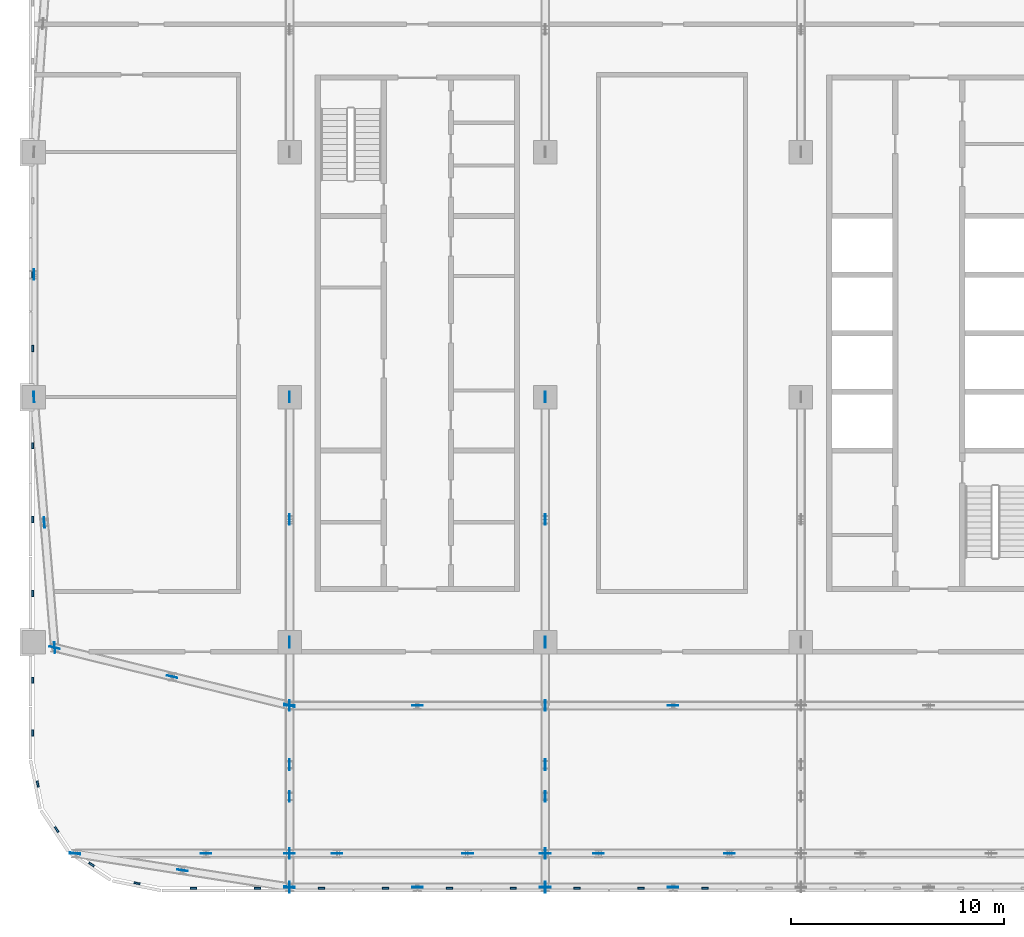
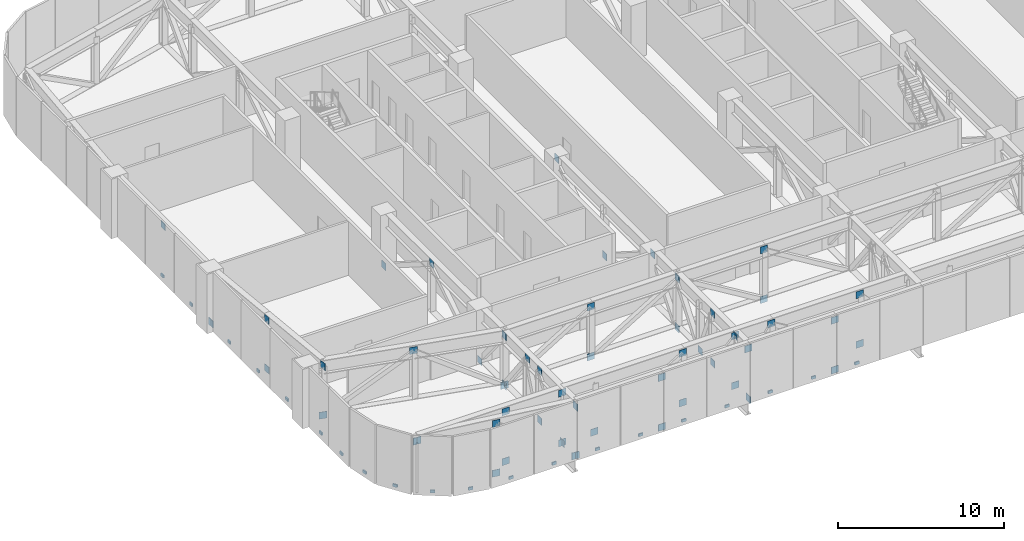
# One storey, part 17 of 28: 77 discrete accessories.
"""IFC4 building model written with IfcOpenShell, lengths in metres."""

from ifc_helpers import new_model, si_unit, direction, frame, origin, origin_2d, place, context, subcontext, project, spatial, rectangle, extrude, material, layer, layer_set, type_object, element, save


model = new_model("IFC4")

# Units and contexts
model_context = context("Model", 3, precision=1e-05, world=origin(), true_north=direction((0.0, 1.0)))
body_context = subcontext(model_context, "Body", "Model", "MODEL_VIEW")
ifc_project = project(units=[si_unit("LENGTHUNIT", "METRE"), si_unit("AREAUNIT", "SQUARE_METRE"), si_unit("VOLUMEUNIT", "CUBIC_METRE"), si_unit("PLANEANGLEUNIT", "RADIAN"), si_unit("MASSUNIT", "GRAM", prefix="KILO")], contexts=[model_context])

# Site, building, storey
site_placement = place(None, origin())
site = spatial("IfcSite", under=ifc_project, at=site_placement, CompositionType="ELEMENT")
building_placement = place(site_placement, origin())
building = spatial("IfcBuilding", under=site, at=building_placement, Name="Mahtab Terrace Research Tower", CompositionType="ELEMENT")
storey_placement = place(building_placement, frame((0.0, 0.0, 224.300048828125)))
storey = spatial("IfcBuildingStorey", under=building, at=storey_placement, Name="L54", CompositionType="ELEMENT", Elevation=224.300048828125)

# Discrete accessories
ifc_material_1 = material(Name="Black anodised aluminium", Category="aluminium")
discrete_accessory_type_1 = type_object("IfcDiscreteAccessoryType", Name="Facade bracket", PredefinedType="BRACKET", material=ifc_material_1)
for number, where, z_axis, x_axis, name in (
    (1, (-42.044921875, 5.75, -0.2998046875), (0.0, 0.0, 1.0), (0.0, -1.0, 0.0), "Louvre bracket L54 44"),
    (2, (-42.044921875, 2.283447265625, -0.2998046875), (0.0, 0.0, 1.0), (0.0, -1.0, 0.0), "Louvre bracket L54 45"),
    (3, (-42.044921875, -2.283447265625, -0.2998046875), (0.0, 0.0, 1.0), (0.0, -1.0, 0.0), "Louvre bracket L54 46"),
    (4, (-42.044921875, -5.75, -0.2998046875), (0.0, 0.0, 1.0), (0.0, -1.0, 0.0), "Louvre bracket L54 47"),
    (5, (-42.044921875, -9.216552734375, -0.2998046875), (0.0, 0.0, 1.0), (0.0, -1.0, 0.0), "Louvre bracket L54 48"),
    (6, (-42.044921875, -13.28759765625, -0.2998046875), (0.0, 0.0, 1.0), (0.0, -1.0, 0.0), "Louvre bracket L54 49"),
    (7, (-42.044921875, -15.762451171875, -0.2998046875), (0.0, 0.0, 1.0), (0.0, -1.0, 0.0), "Louvre bracket L54 50"),
    (8, (-41.815673828125, -18.15673828125, -0.2998046875), (0.0, 0.0, 1.0), (0.195212442692, -0.980760981187, 0.0), "Louvre bracket L54 51"),
    (9, (-40.930419921875, -20.29443359375, -0.2998046875), (0.0, 0.0, 1.0), (0.555291490808, -0.831655794326, 0.0), "Louvre bracket L54 52"),
    (10, (-39.29443359375, -21.930419921875, -0.2998046875), (0.0, 0.0, 1.0), (0.831655794326, -0.555291490808, 0.0), "Louvre bracket L54 53"),
    (11, (-37.15673828125, -22.815673828125, -0.2998046875), (0.0, 0.0, 1.0), (0.980760981187, -0.195212442692, 0.0), "Louvre bracket L54 54"),
    (12, (-34.5, -23.044921875, -0.2998046875), (0.0, 0.0, 1.0), (1.0, 0.0, 0.0), "Louvre bracket L54 55"),
    (13, (-31.5, -23.044921875, -0.2998046875), (0.0, 0.0, 1.0), (1.0, 0.0, 0.0), "Louvre bracket L54 56"),
    (14, (-28.5, -23.044921875, -0.2998046875), (0.0, 0.0, 1.0), (1.0, 0.0, 0.0), "Louvre bracket L54 57"),
    (15, (-25.5, -23.044921875, -0.2998046875), (0.0, 0.0, 1.0), (1.0, 0.0, 0.0), "Louvre bracket L54 58"),
    (16, (-22.5, -23.044921875, -0.2998046875), (0.0, 0.0, 1.0), (1.0, 0.0, 0.0), "Louvre bracket L54 59"),
    (17, (-19.5, -23.044921875, -0.2998046875), (0.0, 0.0, 1.0), (1.0, 0.0, 0.0), "Louvre bracket L54 60"),
    (18, (-16.5, -23.044921875, -0.2998046875), (0.0, 0.0, 1.0), (1.0, 0.0, 0.0), "Louvre bracket L54 61"),
    (19, (-13.5, -23.044921875, -0.2998046875), (0.0, 0.0, 1.0), (1.0, 0.0, 0.0), "Louvre bracket L54 62"),
    (20, (-10.5, -23.044921875, -0.2998046875), (0.0, 0.0, 1.0), (1.0, 0.0, 0.0), "Louvre bracket L54 63"),
):
    element("IfcDiscreteAccessory", number, at=place(storey_placement, frame(where, z_axis=z_axis, x_axis=x_axis)), inside=storey, type_object=discrete_accessory_type_1, Name=name, PredefinedType="BRACKET", context=body_context, shape_type="SweptSolid", body=[
        extrude(rectangle(XDim=0.300048828125, YDim=0.090087890625, at=origin_2d()), origin(), (0.0, 0.0, 1.0), 0.199951171875),
    ])
ifc_material_2 = material(Name="Steel ASTM A992 Gr 50", Category="steel")
ifc_layer = layer(ifc_material_2, 0.030029296875)
ifc_layer_set = layer_set([ifc_layer], Name="Gusset plate 500x500x30")
discrete_accessory_type_2 = type_object("IfcDiscreteAccessoryType", Name="Gusset plate 500x500x30", PredefinedType="USERDEFINED", material=ifc_layer_set)
for number, where, z_axis, x_axis, name in (
    (21, (-40.06201171875, -21.416015625, 3.20947265625), (0.0, 0.0, 1.0), (1.0, 0.0, 0.0), "Gusset plate"),
    (22, (-33.919921875, -21.416015625, -0.43798828125), (0.0, 0.0, 1.0), (1.0, 0.0, 0.0), "Gusset plate"),
    (23, (-33.919921875, -21.416015625, 3.20947265625), (0.0, 0.0, 1.0), (1.0, 0.0, 0.0), "Gusset plate"),
    (24, (-30.0, -23.0, -0.43798828125), (0.0, 0.0, 1.0), (1.0, 0.0, 0.0), "Gusset plate"),
    (25, (-30.0, -21.416015625, -0.43798828125), (0.0, 0.0, 1.0), (1.0, 0.0, 0.0), "Gusset plate"),
    (26, (-30.0, -21.416015625, 3.20947265625), (0.0, 0.0, 1.0), (1.0, 0.0, 0.0), "Gusset plate"),
    (27, (-30.0, -14.472900390625, -0.43798828125), (0.0, 0.0, 1.0), (1.0, 0.0, 0.0), "Gusset plate"),
    (28, (-27.779052734375, -21.416015625, -0.43798828125), (0.0, 0.0, 1.0), (1.0, 0.0, 0.0), "Gusset plate"),
    (29, (-24.0, -23.0, -0.43798828125), (0.0, 0.0, 1.0), (1.0, 0.0, 0.0), "Gusset plate"),
    (30, (-24.0, -23.0, 3.20947265625), (0.0, 0.0, 1.0), (1.0, 0.0, 0.0), "Gusset plate"),
    (31, (-24.0, -14.472900390625, -0.43798828125), (0.0, 0.0, 1.0), (1.0, 0.0, 0.0), "Gusset plate"),
    (32, (-24.0, -14.472900390625, 3.20947265625), (0.0, 0.0, 1.0), (1.0, 0.0, 0.0), "Gusset plate"),
    (33, (-21.636962890625, -21.416015625, -0.43798828125), (0.0, 0.0, 1.0), (1.0, 0.0, 0.0), "Gusset plate"),
    (34, (-21.636962890625, -21.416015625, 3.20947265625), (0.0, 0.0, 1.0), (1.0, 0.0, 0.0), "Gusset plate"),
    (35, (-18.0, -23.0, 3.20947265625), (0.0, 0.0, 1.0), (1.0, 0.0, 0.0), "Gusset plate"),
    (36, (-18.0, -21.416015625, -0.43798828125), (0.0, 0.0, 1.0), (1.0, 0.0, 0.0), "Gusset plate"),
    (37, (-18.0, -21.416015625, 3.20947265625), (0.0, 0.0, 1.0), (1.0, 0.0, 0.0), "Gusset plate"),
    (38, (-15.49609375, -21.416015625, 3.20947265625), (0.0, 0.0, 1.0), (1.0, 0.0, 0.0), "Gusset plate"),
    (39, (-12.0, -23.0, -0.43798828125), (0.0, 0.0, 1.0), (1.0, 0.0, 0.0), "Gusset plate"),
    (40, (-12.0, -23.0, 3.20947265625), (0.0, 0.0, 1.0), (1.0, 0.0, 0.0), "Gusset plate"),
    (41, (-12.0, -14.472900390625, -0.43798828125), (0.0, 0.0, 1.0), (1.0, 0.0, 0.0), "Gusset plate"),
    (42, (-12.0, -14.472900390625, 3.20947265625), (0.0, 0.0, 1.0), (1.0, 0.0, 0.0), "Gusset plate"),
    (43, (-9.35400390625, -21.416015625, -0.43798828125), (0.0, 0.0, 1.0), (1.0, 0.0, 0.0), "Gusset plate"),
    (44, (-9.35400390625, -21.416015625, 3.20947265625), (0.0, 0.0, 1.0), (1.0, 0.0, 0.0), "Gusset plate"),
    (45, (-42.0, 0.0, -0.43798828125), (0.0, 0.0, 1.0), (0.0, 1.0, 0.0), "Gusset plate"),
    (46, (-42.0, 5.75, 3.20947265625), (0.0, 0.0, 1.0), (0.0, 1.0, 0.0), "Gusset plate"),
    (47, (-30.0, -23.0, 3.20947265625), (0.0, 0.0, 1.0), (0.0, 1.0, 0.0), "Gusset plate"),
    (48, (-30.0, -21.416015625, -0.43798828125), (0.0, 0.0, 1.0), (0.0, 1.0, 0.0), "Gusset plate"),
    (49, (-30.0, -18.736083984375, -0.43798828125), (0.0, 0.0, 1.0), (0.0, 1.0, 0.0), "Gusset plate"),
    (50, (-30.0, -18.736083984375, 3.20947265625), (0.0, 0.0, 1.0), (0.0, 1.0, 0.0), "Gusset plate"),
    (51, (-30.0, -17.25, 3.20947265625), (0.0, 0.0, 1.0), (0.0, 1.0, 0.0), "Gusset plate"),
    (52, (-30.0, -14.472900390625, -0.43798828125), (0.0, 0.0, 1.0), (0.0, 1.0, 0.0), "Gusset plate"),
    (53, (-30.0, -14.472900390625, 3.20947265625), (0.0, 0.0, 1.0), (0.0, 1.0, 0.0), "Gusset plate"),
    (54, (-30.0, -11.5, -0.43798828125), (0.0, 0.0, 1.0), (0.0, 1.0, 0.0), "Gusset plate"),
    (55, (-30.0, -5.75, 3.20947265625), (0.0, 0.0, 1.0), (0.0, 1.0, 0.0), "Gusset plate"),
    (56, (-30.0, 0.0, -0.43798828125), (0.0, 0.0, 1.0), (0.0, 1.0, 0.0), "Gusset plate"),
    (57, (-18.0, -23.0, -0.43798828125), (0.0, 0.0, 1.0), (0.0, 1.0, 0.0), "Gusset plate"),
    (58, (-18.0, -21.416015625, 3.20947265625), (0.0, 0.0, 1.0), (0.0, 1.0, 0.0), "Gusset plate"),
    (59, (-18.0, -18.736083984375, -0.43798828125), (0.0, 0.0, 1.0), (0.0, 1.0, 0.0), "Gusset plate"),
    (60, (-18.0, -18.736083984375, 3.20947265625), (0.0, 0.0, 1.0), (0.0, 1.0, 0.0), "Gusset plate"),
    (61, (-18.0, -17.25, -0.43798828125), (0.0, 0.0, 1.0), (0.0, 1.0, 0.0), "Gusset plate"),
    (62, (-18.0, -14.472900390625, -0.43798828125), (0.0, 0.0, 1.0), (0.0, 1.0, 0.0), "Gusset plate"),
    (63, (-18.0, -14.472900390625, 3.20947265625), (0.0, 0.0, 1.0), (0.0, 1.0, 0.0), "Gusset plate"),
    (64, (-18.0, -11.5, 3.20947265625), (0.0, 0.0, 1.0), (0.0, 1.0, 0.0), "Gusset plate"),
    (65, (-18.0, -5.75, -0.43798828125), (0.0, 0.0, 1.0), (0.0, 1.0, 0.0), "Gusset plate"),
    (66, (-18.0, 0.0, 3.20947265625), (0.0, 0.0, 1.0), (0.0, 1.0, 0.0), "Gusset plate"),
    (67, (-42.0, 0.0, -0.43798828125), (0.0, 0.0, 1.0), (-0.082895173943, 0.996558272324, 0.0), "Gusset plate"),
    (68, (-41.510986328125, -5.87890625, -0.43798828125), (0.0, 0.0, 1.0), (-0.083051711927, 0.996545238886, 0.0), "Gusset plate"),
    (69, (-41.510986328125, -5.87890625, 3.20947265625), (0.0, 0.0, 1.0), (-0.082895173943, 0.996558272324, 0.0), "Gusset plate"),
    (70, (-41.02099609375, -11.758056640625, 3.20947265625), (0.0, 0.0, 1.0), (-0.083051711927, 0.996545238886, 0.0), "Gusset plate"),
    (71, (-41.02099609375, -11.758056640625, -0.43798828125), (0.0, 0.0, 1.0), (-0.970946636667, 0.23929611101, 0.0), "Gusset plate"),
    (72, (-35.510986328125, -13.115966796875, 3.20947265625), (0.0, 0.0, 1.0), (-0.970946636667, 0.23929611101, 0.0), "Gusset plate"),
    (73, (-30.0, -14.472900390625, -0.43798828125), (0.0, 0.0, 1.0), (-0.970996733432, 0.239092751175, 0.0), "Gusset plate"),
    (74, (-40.06201171875, -21.416015625, 3.20947265625), (0.0, 0.0, 1.0), (-0.987835337919, 0.15550352137, 0.0), "Gusset plate"),
    (75, (-35.031005859375, -22.2080078125, -0.43798828125), (0.0, 0.0, 1.0), (-0.987835337919, 0.15550352137, 0.0), "Gusset plate"),
    (76, (-35.031005859375, -22.2080078125, 3.20947265625), (0.0, 0.0, 1.0), (-0.987835337919, 0.15550352137, 0.0), "Gusset plate"),
    (77, (-30.0, -23.0, -0.43798828125), (0.0, 0.0, 1.0), (-0.987835337919, 0.15550352137, 0.0), "Gusset plate"),
):
    element("IfcDiscreteAccessory", number, at=place(storey_placement, frame(where, z_axis=z_axis, x_axis=x_axis)), inside=storey, type_object=discrete_accessory_type_2, Name=name, ObjectType="GUSSET PLATE", PredefinedType="USERDEFINED", context=body_context, shape_type="SweptSolid", body=[
        extrude(rectangle(XDim=0.5, YDim=0.030029296875, at=origin_2d()), origin(), (0.0, 0.0, 1.0), 0.5),
    ])

save(model, "model.ifc")
